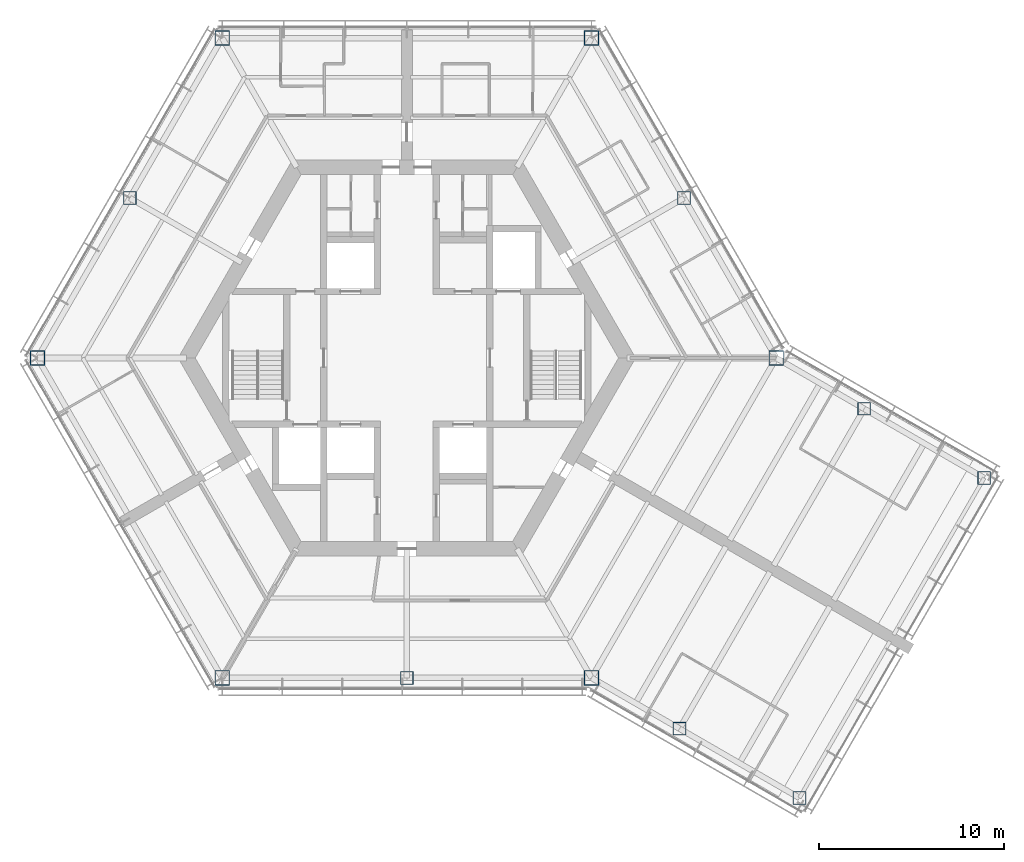
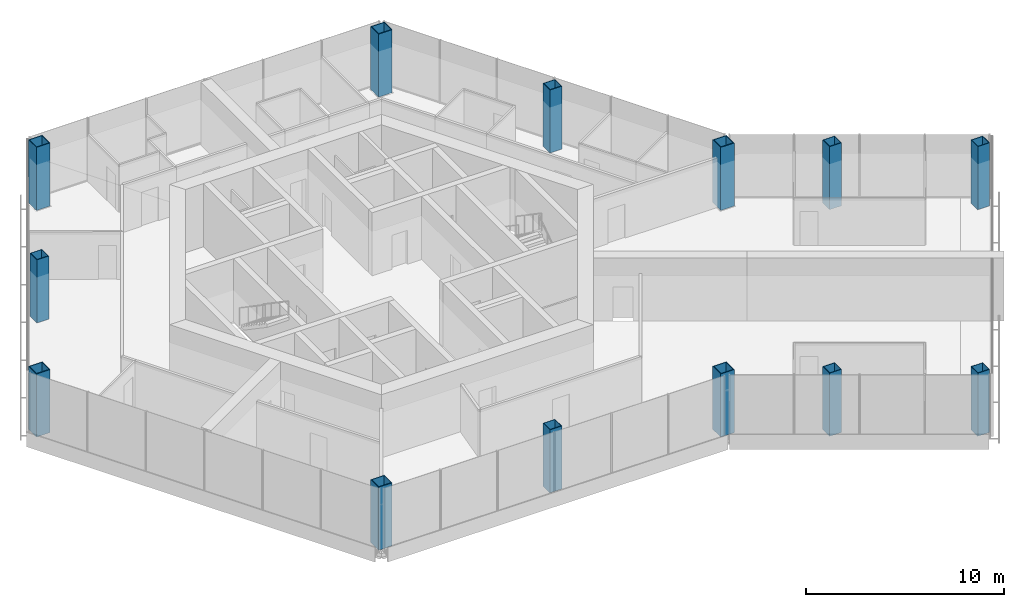
# One storey, part 1 of 14: 13 columns.
"""IFC4 building model written with IfcOpenShell, lengths in metres."""

from ifc_helpers import new_model, si_unit, direction, frame, origin, origin_2d, place, context, subcontext, project, spatial, hollow_rectangle, extrude, material, material_profile, profile_set, type_object, element, save


model = new_model("IFC4")

# Units and contexts
model_context = context("Model", 3, precision=1e-05, world=origin(), true_north=direction((0.0, 1.0)))
body_context = subcontext(model_context, "Body", "Model", "MODEL_VIEW")
ifc_project = project(units=[si_unit("LENGTHUNIT", "METRE"), si_unit("AREAUNIT", "SQUARE_METRE"), si_unit("VOLUMEUNIT", "CUBIC_METRE"), si_unit("PLANEANGLEUNIT", "RADIAN"), si_unit("MASSUNIT", "GRAM", prefix="KILO")], contexts=[model_context])

# Site, building, storey
site_placement = place(None, origin())
site = spatial("IfcSite", under=ifc_project, at=site_placement, CompositionType="ELEMENT")
building_placement = place(site_placement, origin())
building = spatial("IfcBuilding", under=site, at=building_placement, Name="Kasaneha Research Tower", CompositionType="ELEMENT")
storey_placement = place(building_placement, frame((0.0, 0.0, 216.699951171875)))
storey = spatial("IfcBuildingStorey", under=building, at=storey_placement, Name="L54", CompositionType="ELEMENT", Elevation=216.699951171875)

# Columns
ifc_material_1 = material(Name="Steel SN490C", Category="steel")
ifc_material_profile_1 = material_profile(ifc_material_1, hollow_rectangle(XDim=0.800048828125, YDim=0.800048828125, WallThickness=0.0400390625, at=origin_2d()), Name="BOX-800x800x40")
ifc_profile_set_1 = profile_set([ifc_material_profile_1], Name="Steel SN490C")
column_type_1 = type_object("IfcColumnType", Name="C4A column BOX-800x800x40", PredefinedType="COLUMN", material=ifc_profile_set_1)
for number, where, z_axis, x_axis, name in (
    (1, (20.0, 0.0, 0.0), (0.0, 0.0, 1.0), (1.0, 0.0, 0.0), "Column V0 L54"),
    (2, (10.0, 17.320556640625, 0.0), (0.0, 0.0, 1.0), (1.0, 0.0, 0.0), "Column V1 L54"),
    (3, (-10.0, 17.320556640625, 0.0), (0.0, 0.0, 1.0), (1.0, 0.0, 0.0), "Column V2 L54"),
    (4, (-20.0, 0.0, 0.0), (0.0, 0.0, 1.0), (1.0, 0.0, 0.0), "Column V3 L54"),
    (5, (-10.0, -17.320556640625, 0.0), (0.0, 0.0, 1.0), (1.0, 0.0, 0.0), "Column V4 L54"),
    (6, (10.0, -17.320556640625, 0.0), (0.0, 0.0, 1.0), (1.0, 0.0, 0.0), "Column V5 L54"),
):
    element("IfcColumn", number, at=place(storey_placement, frame(where, z_axis=z_axis, x_axis=x_axis)), inside=storey, type_object=column_type_1, Name=name, PredefinedType="COLUMN", context=body_context, shape_type="SweptSolid", body=[
        extrude(hollow_rectangle(XDim=0.800048828125, YDim=0.800048828125, WallThickness=0.0400390625, at=origin_2d()), origin(), (0.0, 0.0, 1.0), 3.900146484375),
    ])
ifc_material_2 = material(Name="Steel SN490C", Category="steel")
ifc_material_profile_2 = material_profile(ifc_material_2, hollow_rectangle(XDim=0.699951171875, YDim=0.699951171875, WallThickness=0.031982421875, at=origin_2d()), Name="BOX-700x700x32")
ifc_profile_set_2 = profile_set([ifc_material_profile_2], Name="Steel SN490C")
column_type_2 = type_object("IfcColumnType", Name="C4B column BOX-700x700x32", PredefinedType="COLUMN", material=ifc_profile_set_2)
for number, where, z_axis, x_axis, name in (
    (7, (15.0, 8.66015625, 0.0), (0.0, 0.0, 1.0), (1.0, 0.0, 0.0), "Column M030 L54"),
    (8, (-15.0, 8.66015625, 0.0), (0.0, 0.0, 1.0), (1.0, 0.0, 0.0), "Column M150 L54"),
    (9, (0.0, -17.320556640625, 0.0), (0.0, 0.0, 1.0), (1.0, 0.0, 0.0), "Column M270 L54"),
    (10, (14.76318359375, -20.070556640625, 0.0), (0.0, 0.0, 1.0), (1.0, 0.0, 0.0), "Column CSP L54"),
    (11, (21.25830078125, -23.820556640625, 0.0), (0.0, 0.0, 1.0), (1.0, 0.0, 0.0), "Column CTP L54"),
    (12, (24.76318359375, -2.75, 0.0), (0.0, 0.0, 1.0), (1.0, 0.0, 0.0), "Column CSN L54"),
    (13, (31.25830078125, -6.5, 0.0), (0.0, 0.0, 1.0), (1.0, 0.0, 0.0), "Column CTN L54"),
):
    element("IfcColumn", number, at=place(storey_placement, frame(where, z_axis=z_axis, x_axis=x_axis)), inside=storey, type_object=column_type_2, Name=name, PredefinedType="COLUMN", context=body_context, shape_type="SweptSolid", body=[
        extrude(hollow_rectangle(XDim=0.699951171875, YDim=0.699951171875, WallThickness=0.031982421875, at=origin_2d()), origin(), (0.0, 0.0, 1.0), 3.900146484375),
    ])

save(model, "model.ifc")
